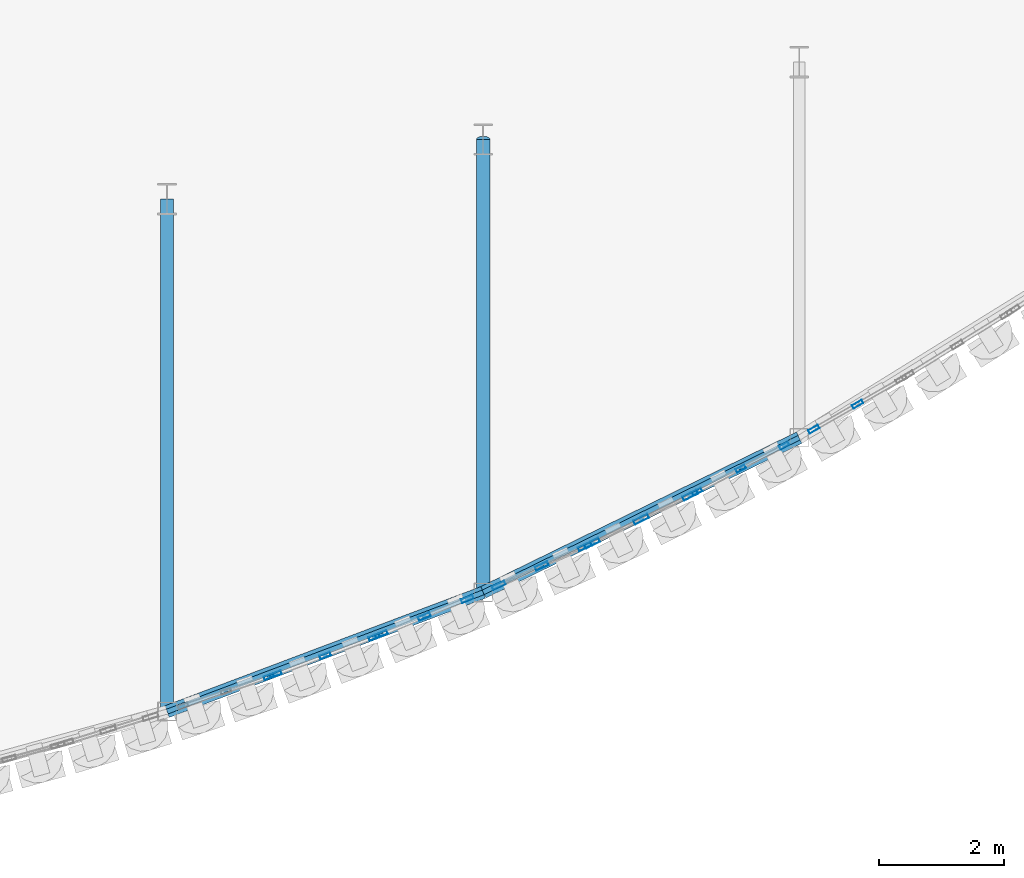
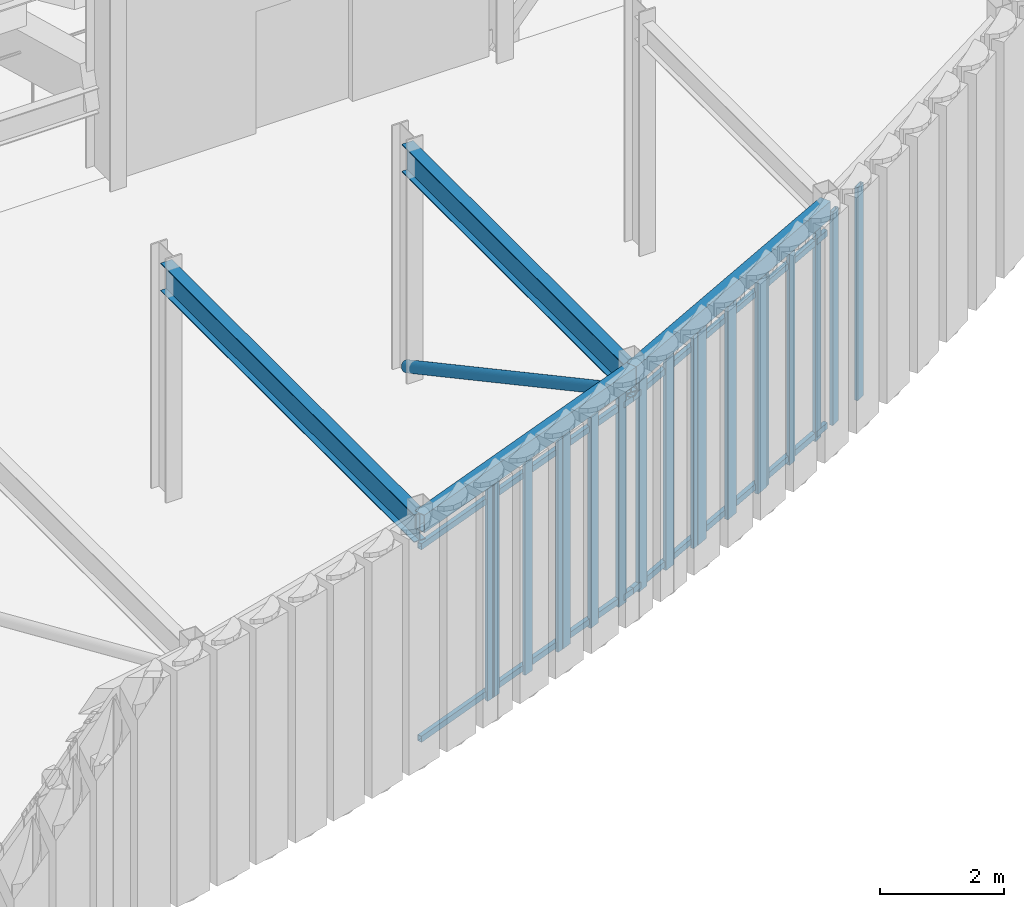
# One storey, part 48 of 121: 23 members, 4 beams, 7 elements without a shape of their own.
"""IFC4 building model written with IfcOpenShell, lengths in metres."""

from ifc_helpers import new_model, si_unit, direction, frame, origin, origin_2d, place, context, subcontext, project, spatial, hollow_rectangle, hollow_circle, i_section, extrude, material, layer, layer_set, material_profile, profile_set, type_object, element, aggregate, save


model = new_model("IFC4")

# Units and contexts
model_context = context("Model", 3, precision=1e-05, world=origin(), true_north=direction((0.0, 1.0)))
body_context = subcontext(model_context, "Body", "Model", "MODEL_VIEW")
ifc_project = project(units=[si_unit("LENGTHUNIT", "METRE"), si_unit("AREAUNIT", "SQUARE_METRE"), si_unit("VOLUMEUNIT", "CUBIC_METRE"), si_unit("PLANEANGLEUNIT", "RADIAN"), si_unit("MASSUNIT", "GRAM", prefix="KILO")], contexts=[model_context])

# Site, building, storey
site_placement = place(None, origin())
site = spatial("IfcSite", under=ifc_project, at=site_placement, CompositionType="ELEMENT")
building_placement = place(site_placement, origin())
building = spatial("IfcBuilding", under=site, at=building_placement, Name="Solvadek Multi-Sports Hall", CompositionType="ELEMENT")
storey_placement = place(building_placement, frame((0.0, 0.0, 4.800048828125)))
storey = spatial("IfcBuildingStorey", under=building, at=storey_placement, Name="L01", CompositionType="ELEMENT", Elevation=4.800048828125)

# Curtain wall, member
ifc_material_1 = material(Name="Anodised aluminium", Category="aluminium")
ifc_layer_1 = layer(ifc_material_1, 0.159912109375, Name="Anodised aluminium")
ifc_layer_set_1 = layer_set([ifc_layer_1], Name="Anodised aluminium")
curtain_wall_type_1 = type_object("IfcCurtainWallType", Name="ENV-CW-151X420", PredefinedType="USERDEFINED", material=ifc_layer_set_1)
curtain_wall_1_placement = place(storey_placement, origin())
curtain_wall_1 = element("IfcCurtainWall", 1, at=curtain_wall_1_placement, inside=storey, type_object=curtain_wall_type_1, Name="L01 Crescent Curved Curtain Wall #85", ObjectType="CURTAIN WALL", PredefinedType="USERDEFINED")
ifc_material_profile_1 = material_profile(ifc_material_1, hollow_rectangle(XDim=0.06005859375, YDim=0.159912109375, WallThickness=0.00390625, at=origin_2d()), Name="ALU-M 160x60x4")
ifc_profile_set_1 = profile_set([ifc_material_profile_1], Name="Anodised aluminium")
member_type_1 = type_object("IfcMemberType", Name="ENV-CWM-01", PredefinedType="MULLION", material=ifc_profile_set_1)
member_1_placement = place(storey_placement, frame((113.22314453125, -9.791015625, 0.0), z_axis=(0.0, 0.0, 1.0), x_axis=(-0.323729927138, 0.946149530611, 0.0)))
member_1 = element("IfcMember", 2, at=member_1_placement, type_object=member_type_1, Name="CW-20 mullion 3", PredefinedType="MULLION", context=body_context, shape_type="SweptSolid", body=[
    extrude(hollow_rectangle(XDim=0.06005859375, YDim=0.159912109375, WallThickness=0.00390625, at=origin_2d()), origin(), (0.0, 0.0, 1.0), 4.199951171875),
])
aggregate(curtain_wall_1, [member_1])

# Curtain wall, members
ifc_layer_2 = layer(ifc_material_1, 0.159912109375, Name="Anodised aluminium")
ifc_layer_set_2 = layer_set([ifc_layer_2], Name="Anodised aluminium")
curtain_wall_type_2 = type_object("IfcCurtainWallType", Name="ENV-CW-163X420", PredefinedType="USERDEFINED", material=ifc_layer_set_2)
curtain_wall_2_placement = place(storey_placement, origin())
curtain_wall_2 = element("IfcCurtainWall", 3, at=curtain_wall_2_placement, inside=storey, type_object=curtain_wall_type_2, Name="L01 Crescent Curved Curtain Wall #95", ObjectType="CURTAIN WALL", PredefinedType="USERDEFINED")
member_2_placement = place(storey_placement, frame((120.052978515625, -6.83984375, 0.0), z_axis=(0.0, 0.0, 1.0), x_axis=(-0.468129943014, 0.883659638353, 0.0)))
member_2 = element("IfcMember", 4, at=member_2_placement, type_object=member_type_1, Name="CW-15 mullion 1", PredefinedType="MULLION", context=body_context, shape_type="SweptSolid", body=[
    extrude(hollow_rectangle(XDim=0.06005859375, YDim=0.159912109375, WallThickness=0.00390625, at=origin_2d()), origin(), (0.0, 0.0, 1.0), 4.199951171875),
])
member_3_placement = place(storey_placement, frame((120.747314453125, -6.47216796875, 0.0), z_axis=(0.0, 0.0, 1.0), x_axis=(-0.468129943014, 0.883659638353, 0.0)))
member_3 = element("IfcMember", 5, at=member_3_placement, type_object=member_type_1, Name="CW-15 mullion 2", PredefinedType="MULLION", context=body_context, shape_type="SweptSolid", body=[
    extrude(hollow_rectangle(XDim=0.06005859375, YDim=0.159912109375, WallThickness=0.00390625, at=origin_2d()), origin(), (0.0, 0.0, 1.0), 4.199951171875),
])
member_4_placement = place(storey_placement, frame((121.44140625, -6.104248046875, 0.0), z_axis=(0.0, 0.0, 1.0), x_axis=(-0.468129943014, 0.883659638353, 0.0)))
member_4 = element("IfcMember", 6, at=member_4_placement, type_object=member_type_1, Name="CW-15 mullion 3", PredefinedType="MULLION", context=body_context, shape_type="SweptSolid", body=[
    extrude(hollow_rectangle(XDim=0.06005859375, YDim=0.159912109375, WallThickness=0.00390625, at=origin_2d()), origin(), (0.0, 0.0, 1.0), 4.199951171875),
])
aggregate(curtain_wall_2, [member_2, member_3, member_4])

ifc_layer_3 = layer(ifc_material_1, 0.159912109375, Name="Anodised aluminium")
ifc_layer_set_3 = layer_set([ifc_layer_3], Name="Anodised aluminium")
curtain_wall_type_3 = type_object("IfcCurtainWallType", Name="ENV-CW-174X420", PredefinedType="USERDEFINED", material=ifc_layer_set_3)
curtain_wall_3_placement = place(storey_placement, origin())
curtain_wall_3 = element("IfcCurtainWall", 7, at=curtain_wall_3_placement, inside=storey, type_object=curtain_wall_type_3, Name="L01 Crescent Curved Curtain Wall #87", ObjectType="CURTAIN WALL", PredefinedType="USERDEFINED")
ifc_material_profile_2 = material_profile(ifc_material_1, hollow_rectangle(XDim=0.06005859375, YDim=0.179931640625, WallThickness=0.00390625, at=origin_2d()), Name="ALU-M 180x60x4")
ifc_profile_set_2 = profile_set([ifc_material_profile_2], Name="Anodised aluminium")
member_type_2 = type_object("IfcMemberType", Name="ENV-CWM-02", PredefinedType="MULLION", material=ifc_profile_set_2)
member_5_placement = place(storey_placement, frame((113.336181640625, -9.75048828125, 0.0), z_axis=(0.0, 0.0, 1.0), x_axis=(-0.352626055108, 0.935764321429, 0.0)))
member_5 = element("IfcMember", 8, at=member_5_placement, type_object=member_type_2, Name="CW-12 mullion 1", PredefinedType="MULLION", context=body_context, shape_type="SweptSolid", body=[
    extrude(hollow_rectangle(XDim=0.06005859375, YDim=0.179931640625, WallThickness=0.00390625, at=origin_2d()), origin(), (0.0, 0.0, 1.0), 4.199951171875),
])
member_6_placement = place(storey_placement, frame((114.1201171875, -9.455078125, 0.0), z_axis=(0.0, 0.0, 1.0), x_axis=(-0.352626055108, 0.935764321429, 0.0)))
member_6 = element("IfcMember", 9, at=member_6_placement, type_object=member_type_2, Name="CW-12 mullion 2", PredefinedType="MULLION", context=body_context, shape_type="SweptSolid", body=[
    extrude(hollow_rectangle(XDim=0.06005859375, YDim=0.179931640625, WallThickness=0.00390625, at=origin_2d()), origin(), (0.0, 0.0, 1.0), 4.199951171875),
])
member_7_placement = place(storey_placement, frame((114.90380859375, -9.15966796875, 0.0), z_axis=(0.0, 0.0, 1.0), x_axis=(-0.352626055108, 0.935764321429, 0.0)))
member_7 = element("IfcMember", 10, at=member_7_placement, type_object=member_type_2, Name="CW-12 mullion 3", PredefinedType="MULLION", context=body_context, shape_type="SweptSolid", body=[
    extrude(hollow_rectangle(XDim=0.06005859375, YDim=0.179931640625, WallThickness=0.00390625, at=origin_2d()), origin(), (0.0, 0.0, 1.0), 4.199951171875),
])
aggregate(curtain_wall_3, [member_5, member_6, member_7])

ifc_layer_4 = layer(ifc_material_1, 0.159912109375, Name="Anodised aluminium")
ifc_layer_set_4 = layer_set([ifc_layer_4], Name="Anodised aluminium")
curtain_wall_type_4 = type_object("IfcCurtainWallType", Name="ENV-CW-167X420", PredefinedType="USERDEFINED", material=ifc_layer_set_4)
curtain_wall_4_placement = place(storey_placement, origin())
curtain_wall_4 = element("IfcCurtainWall", 11, at=curtain_wall_4_placement, inside=storey, type_object=curtain_wall_type_4, Name="L01 Crescent Curved Curtain Wall #97", ObjectType="CURTAIN WALL", PredefinedType="USERDEFINED")
member_8_placement = place(storey_placement, frame((121.914306640625, -5.84375, 0.0), z_axis=(0.0, 0.0, 1.0), x_axis=(-0.496991951402, 0.867755149937, 0.0)))
member_8 = element("IfcMember", 12, at=member_8_placement, type_object=member_type_2, Name="CW-30 mullion 1", PredefinedType="MULLION", context=body_context, shape_type="SweptSolid", body=[
    extrude(hollow_rectangle(XDim=0.06005859375, YDim=0.179931640625, WallThickness=0.00390625, at=origin_2d()), origin(), (0.0, 0.0, 1.0), 4.199951171875),
])
member_9_placement = place(storey_placement, frame((122.611083984375, -5.444580078125, 0.0), z_axis=(0.0, 0.0, 1.0), x_axis=(-0.496991951402, 0.867755149937, 0.0)))
member_9 = element("IfcMember", 13, at=member_9_placement, type_object=member_type_2, Name="CW-30 mullion 2", PredefinedType="MULLION", context=body_context, shape_type="SweptSolid", body=[
    extrude(hollow_rectangle(XDim=0.06005859375, YDim=0.179931640625, WallThickness=0.00390625, at=origin_2d()), origin(), (0.0, 0.0, 1.0), 4.199951171875),
])
aggregate(curtain_wall_4, [member_8, member_9])

ifc_layer_5 = layer(ifc_material_1, 0.159912109375, Name="Anodised aluminium")
ifc_layer_set_5 = layer_set([ifc_layer_5], Name="Anodised aluminium")
curtain_wall_type_5 = type_object("IfcCurtainWallType", Name="ENV-CW-155X420", PredefinedType="USERDEFINED", material=ifc_layer_set_5)
curtain_wall_5_placement = place(storey_placement, origin())
curtain_wall_5 = element("IfcCurtainWall", 14, at=curtain_wall_5_placement, inside=storey, type_object=curtain_wall_type_5, Name="L01 Crescent Curved Curtain Wall #89", ObjectType="CURTAIN WALL", PredefinedType="USERDEFINED")
ifc_material_profile_3 = material_profile(ifc_material_1, hollow_rectangle(XDim=0.06494140625, YDim=0.199951171875, WallThickness=0.0048828125, at=origin_2d()), Name="ALU-M 200x65x5")
ifc_profile_set_3 = profile_set([ifc_material_profile_3], Name="Anodised aluminium")
member_type_3 = type_object("IfcMemberType", Name="ENV-CWM-03", PredefinedType="MULLION", material=ifc_profile_set_3)
member_10_placement = place(storey_placement, frame((115.017822265625, -9.11474609375, 0.0), z_axis=(0.0, 0.0, 1.0), x_axis=(-0.381474507709, 0.924379359337, 0.0)))
member_10 = element("IfcMember", 15, at=member_10_placement, type_object=member_type_3, Name="CW-18 mullion 1", PredefinedType="MULLION", context=body_context, shape_type="SweptSolid", body=[
    extrude(hollow_rectangle(XDim=0.06494140625, YDim=0.199951171875, WallThickness=0.0048828125, at=origin_2d()), origin(), (0.0, 0.0, 1.0), 4.199951171875),
])
member_11_placement = place(storey_placement, frame((115.702880859375, -8.83203125, 0.0), z_axis=(0.0, 0.0, 1.0), x_axis=(-0.381474507709, 0.924379359337, 0.0)))
member_11 = element("IfcMember", 16, at=member_11_placement, type_object=member_type_3, Name="CW-18 mullion 2", PredefinedType="MULLION", context=body_context, shape_type="SweptSolid", body=[
    extrude(hollow_rectangle(XDim=0.06494140625, YDim=0.199951171875, WallThickness=0.0048828125, at=origin_2d()), origin(), (0.0, 0.0, 1.0), 4.199951171875),
])
member_12_placement = place(storey_placement, frame((116.387939453125, -8.54931640625, 0.0), z_axis=(0.0, 0.0, 1.0), x_axis=(-0.381474507709, 0.924379359337, 0.0)))
member_12 = element("IfcMember", 17, at=member_12_placement, type_object=member_type_3, Name="CW-18 mullion 3", PredefinedType="MULLION", context=body_context, shape_type="SweptSolid", body=[
    extrude(hollow_rectangle(XDim=0.06494140625, YDim=0.199951171875, WallThickness=0.0048828125, at=origin_2d()), origin(), (0.0, 0.0, 1.0), 4.199951171875),
])
aggregate(curtain_wall_5, [member_10, member_11, member_12])

ifc_layer_6 = layer(ifc_material_1, 0.159912109375, Name="Anodised aluminium")
ifc_layer_set_6 = layer_set([ifc_layer_6], Name="Anodised aluminium")
curtain_wall_type_6 = type_object("IfcCurtainWallType", Name="ENV-CW-157X420", PredefinedType="USERDEFINED", material=ifc_layer_set_6)
curtain_wall_6_placement = place(storey_placement, origin())
curtain_wall_6 = element("IfcCurtainWall", 18, at=curtain_wall_6_placement, inside=storey, type_object=curtain_wall_type_6, Name="L01 Crescent Curved Curtain Wall #91", ObjectType="CURTAIN WALL", PredefinedType="USERDEFINED")
ifc_material_profile_4 = material_profile(ifc_material_1, hollow_rectangle(XDim=0.06494140625, YDim=0.219970703125, WallThickness=0.0048828125, at=origin_2d()), Name="ALU-M 220x65x5")
ifc_profile_set_4 = profile_set([ifc_material_profile_4], Name="Anodised aluminium")
member_type_4 = type_object("IfcMemberType", Name="ENV-CWM-04", PredefinedType="MULLION", material=ifc_profile_set_4)
member_13_placement = place(storey_placement, frame((116.888427734375, -8.33349609375, 0.0), z_axis=(0.0, 0.0, 1.0), x_axis=(-0.410383190297, 0.911913174114, 0.0)))
member_13 = element("IfcMember", 19, at=member_13_placement, type_object=member_type_4, Name="CW-17 mullion 1", PredefinedType="MULLION", context=body_context, shape_type="SweptSolid", body=[
    extrude(hollow_rectangle(XDim=0.06494140625, YDim=0.219970703125, WallThickness=0.0048828125, at=origin_2d()), origin(), (0.0, 0.0, 1.0), 4.199951171875),
])
member_14_placement = place(storey_placement, frame((117.57568359375, -8.024169921875, 0.0), z_axis=(0.0, 0.0, 1.0), x_axis=(-0.410383190297, 0.911913174114, 0.0)))
member_14 = element("IfcMember", 20, at=member_14_placement, type_object=member_type_4, Name="CW-17 mullion 2", PredefinedType="MULLION", context=body_context, shape_type="SweptSolid", body=[
    extrude(hollow_rectangle(XDim=0.06494140625, YDim=0.219970703125, WallThickness=0.0048828125, at=origin_2d()), origin(), (0.0, 0.0, 1.0), 4.199951171875),
])
member_15_placement = place(storey_placement, frame((118.262939453125, -7.71484375, 0.0), z_axis=(0.0, 0.0, 1.0), x_axis=(-0.410383190297, 0.911913174114, 0.0)))
member_15 = element("IfcMember", 21, at=member_15_placement, type_object=member_type_4, Name="CW-17 mullion 3", PredefinedType="MULLION", context=body_context, shape_type="SweptSolid", body=[
    extrude(hollow_rectangle(XDim=0.06494140625, YDim=0.219970703125, WallThickness=0.0048828125, at=origin_2d()), origin(), (0.0, 0.0, 1.0), 4.199951171875),
])
aggregate(curtain_wall_6, [member_13, member_14, member_15])

ifc_layer_7 = layer(ifc_material_1, 0.159912109375, Name="Anodised aluminium")
ifc_layer_set_7 = layer_set([ifc_layer_7], Name="Anodised aluminium")
curtain_wall_type_7 = type_object("IfcCurtainWallType", Name="ENV-CW-181X420", PredefinedType="USERDEFINED", material=ifc_layer_set_7)
curtain_wall_7_placement = place(storey_placement, origin())
curtain_wall_7 = element("IfcCurtainWall", 22, at=curtain_wall_7_placement, inside=storey, type_object=curtain_wall_type_7, Name="L01 Crescent Curved Curtain Wall #93", ObjectType="CURTAIN WALL", PredefinedType="USERDEFINED")
ifc_material_profile_5 = material_profile(ifc_material_1, hollow_rectangle(XDim=0.070068359375, YDim=0.25, WallThickness=0.0048828125, at=origin_2d()), Name="ALU-M 250x70x5")
ifc_profile_set_5 = profile_set([ifc_material_profile_5], Name="Anodised aluminium")
member_type_5 = type_object("IfcMemberType", Name="ENV-CWM-05", PredefinedType="MULLION", material=ifc_profile_set_5)
member_16_placement = place(storey_placement, frame((118.37841796875, -7.66064453125, 0.0), z_axis=(0.0, 0.0, 1.0), x_axis=(-0.439239859901, 0.898369826672, 0.0)))
member_16 = element("IfcMember", 23, at=member_16_placement, type_object=member_type_5, Name="CW-16 mullion 1", PredefinedType="MULLION", context=body_context, shape_type="SweptSolid", body=[
    extrude(hollow_rectangle(XDim=0.070068359375, YDim=0.25, WallThickness=0.0048828125, at=origin_2d()), origin(), (0.0, 0.0, 1.0), 4.199951171875),
])
member_17_placement = place(storey_placement, frame((119.159912109375, -7.278564453125, 0.0), z_axis=(0.0, 0.0, 1.0), x_axis=(-0.439239859901, 0.898369826672, 0.0)))
member_17 = element("IfcMember", 24, at=member_17_placement, type_object=member_type_5, Name="CW-16 mullion 2", PredefinedType="MULLION", context=body_context, shape_type="SweptSolid", body=[
    extrude(hollow_rectangle(XDim=0.070068359375, YDim=0.25, WallThickness=0.0048828125, at=origin_2d()), origin(), (0.0, 0.0, 1.0), 4.199951171875),
])
member_18_placement = place(storey_placement, frame((119.941650390625, -6.896484375, 0.0), z_axis=(0.0, 0.0, 1.0), x_axis=(-0.439239859901, 0.898369826672, 0.0)))
member_18 = element("IfcMember", 25, at=member_18_placement, type_object=member_type_5, Name="CW-16 mullion 3", PredefinedType="MULLION", context=body_context, shape_type="SweptSolid", body=[
    extrude(hollow_rectangle(XDim=0.070068359375, YDim=0.25, WallThickness=0.0048828125, at=origin_2d()), origin(), (0.0, 0.0, 1.0), 4.199951171875),
])
aggregate(curtain_wall_7, [member_16, member_17, member_18])

# Beams
ifc_material_2 = material(Name="Steel E350 (350 MPa)", Category="steel")
ifc_material_profile_6 = material_profile(ifc_material_2, i_section(OverallWidth=0.2099609375, OverallDepth=0.550048828125, WebThickness=0.010986328125, FlangeThickness=0.01708984375, at=origin_2d()), Name="NPB 550")
ifc_profile_set_6 = profile_set([ifc_material_profile_6], Name="Steel E350 (350 MPa)")
beam_type_1 = type_object("IfcBeamType", Name="STR-BM-NPB550", PredefinedType="BEAM", material=ifc_profile_set_6)
beam_1_placement = place(storey_placement, frame((111.60009765625, -10.346435546875, 4.284912109375), z_axis=(0.0, 1.0, 0.0), x_axis=(-1.0, 0.0, 0.0)))
element("IfcBeam", 26, at=beam_1_placement, inside=storey, type_object=beam_type_1, Name="L01 Girder B-05 #1287", PredefinedType="BEAM", context=body_context, shape_type="SweptSolid", body=[
    extrude(i_section(OverallWidth=0.2099609375, OverallDepth=0.550048828125, WebThickness=0.010986328125, FlangeThickness=0.01708984375, at=origin_2d()), origin(), (0.0, 0.0, 1.0), 8.173095703125),
])
beam_2_placement = place(storey_placement, frame((116.639892578125, -8.4453125, 4.284912109375), z_axis=(0.0, 1.0, 0.0), x_axis=(-1.0, 0.0, 0.0)))
element("IfcBeam", 27, at=beam_2_placement, inside=storey, type_object=beam_type_1, Name="L01 Girder B-05 #1289", PredefinedType="BEAM", context=body_context, shape_type="SweptSolid", body=[
    extrude(i_section(OverallWidth=0.2099609375, OverallDepth=0.550048828125, WebThickness=0.010986328125, FlangeThickness=0.01708984375, at=origin_2d()), origin(), (0.0, 0.0, 1.0), 7.22265625),
])

# Member
ifc_material_profile_7 = material_profile(ifc_material_2, hollow_circle(Radius=0.109619140625, WallThickness=0.010009765625, at=origin_2d()), Name="CHS 219.1x10")
ifc_profile_set_7 = profile_set([ifc_material_profile_7], Name="Steel E350 (350 MPa)")
member_type_6 = type_object("IfcMemberType", Name="STR-BRC-CHS219", PredefinedType="BRACE", material=ifc_profile_set_7)
member_19_placement = place(storey_placement, frame((116.639892578125, -1.22265625, 0.14990234375), z_axis=(0.0, -0.879909874231, 0.47514062469), x_axis=(1.0, 0.0, 0.0)))
element("IfcMember", 28, at=member_19_placement, inside=storey, type_object=member_type_6, Name="L01 Crescent Radial Truss Diagonal #6", PredefinedType="BRACE", context=body_context, shape_type="SweptSolid", body=[
    extrude(hollow_circle(Radius=0.109619140625, WallThickness=0.010009765625, at=origin_2d()), origin(), (0.0, 0.0, 1.0), 8.20849609375),
])

# Beams
ifc_material_profile_8 = material_profile(ifc_material_2, hollow_rectangle(XDim=0.199951171875, YDim=0.35009765625, WallThickness=0.011962890625, at=origin_2d()), Name="RHS 350x200x12")
ifc_profile_set_8 = profile_set([ifc_material_profile_8], Name="Steel E350 (350 MPa)")
beam_type_2 = type_object("IfcBeamType", Name="STR-SPN-RHS350", PredefinedType="SPANDREL", material=ifc_profile_set_8)
beam_3_placement = place(storey_placement, frame((111.60009765625, -10.346435546875, 4.385009765625), z_axis=(0.935643802821, 0.35294571005, 0.0), x_axis=(-0.35294571005, 0.935643802821, 0.0)))
element("IfcBeam", 29, at=beam_3_placement, inside=storey, type_object=beam_type_2, Name="L01 Curved Crescent Spandrel #53", PredefinedType="SPANDREL", context=body_context, shape_type="SweptSolid", body=[
    extrude(hollow_rectangle(XDim=0.199951171875, YDim=0.35009765625, WallThickness=0.011962890625, at=origin_2d()), origin(), (0.0, 0.0, 1.0), 5.386474609375),
])
beam_4_placement = place(storey_placement, frame((116.639892578125, -8.4453125, 4.385009765625), z_axis=(0.898154583189, 0.43967982066, 0.0), x_axis=(-0.43967982066, 0.898154583189, 0.0)))
element("IfcBeam", 30, at=beam_4_placement, inside=storey, type_object=beam_type_2, Name="L01 Curved Crescent Spandrel #54", PredefinedType="SPANDREL", context=body_context, shape_type="SweptSolid", body=[
    extrude(hollow_rectangle(XDim=0.199951171875, YDim=0.35009765625, WallThickness=0.011962890625, at=origin_2d()), origin(), (0.0, 0.0, 1.0), 5.611572265625),
])

# Members
ifc_material_3 = material(Name="Steel E250 (250 MPa)", Category="steel")
ifc_material_profile_9 = material_profile(ifc_material_3, hollow_rectangle(XDim=0.080078125, YDim=0.1201171875, WallThickness=0.006103515625, at=origin_2d()), Name="RHS 120x80x6")
ifc_profile_set_9 = profile_set([ifc_material_profile_9], Name="Steel E250 (250 MPa)")
member_type_7 = type_object("IfcMemberType", Name="STR-STD-RHS120", PredefinedType="STUD", material=ifc_profile_set_9)
for number, where, z_axis, x_axis, name in (
    (31, (111.60009765625, -10.346435546875, 0.119873046875), (0.935643802821, 0.35294571005, 0.0), (-0.35294571005, 0.935643802821, 0.0), "L01 Flute Subframe Rail E-6 bot"),
    (32, (111.60009765625, -10.346435546875, 3.909912109375), (0.935643802821, 0.35294571005, 0.0), (-0.35294571005, 0.935643802821, 0.0), "L01 Flute Subframe Rail E-6 top"),
):
    element("IfcMember", number, at=place(storey_placement, frame(where, z_axis=z_axis, x_axis=x_axis)), inside=storey, type_object=member_type_7, Name=name, PredefinedType="STUD", context=body_context, shape_type="SweptSolid", body=[
        extrude(hollow_rectangle(XDim=0.080078125, YDim=0.1201171875, WallThickness=0.006103515625, at=origin_2d()), origin(), (0.0, 0.0, 1.0), 5.386474609375),
    ])
for number, where, z_axis, x_axis, name in (
    (33, (116.639892578125, -8.4453125, 0.119873046875), (0.898154583189, 0.43967982066, 0.0), (-0.43967982066, 0.898154583189, 0.0), "L01 Flute Subframe Rail E-7 bot"),
    (34, (116.639892578125, -8.4453125, 3.909912109375), (0.898154583189, 0.43967982066, 0.0), (-0.43967982066, 0.898154583189, 0.0), "L01 Flute Subframe Rail E-7 top"),
):
    element("IfcMember", number, at=place(storey_placement, frame(where, z_axis=z_axis, x_axis=x_axis)), inside=storey, type_object=member_type_7, Name=name, PredefinedType="STUD", context=body_context, shape_type="SweptSolid", body=[
        extrude(hollow_rectangle(XDim=0.080078125, YDim=0.1201171875, WallThickness=0.006103515625, at=origin_2d()), origin(), (0.0, 0.0, 1.0), 5.611572265625),
    ])

save(model, "model.ifc")
